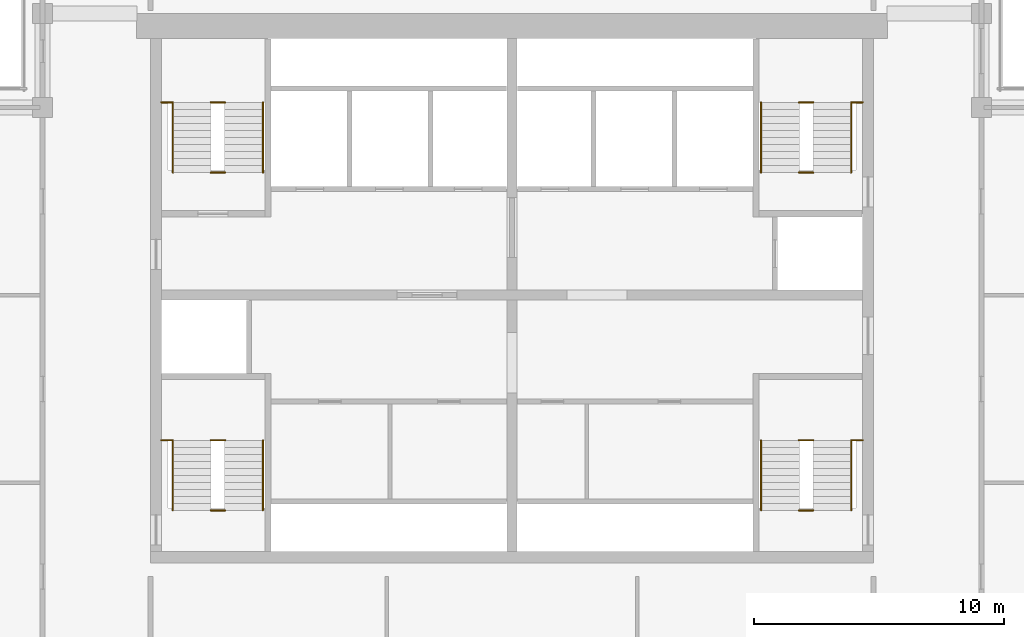
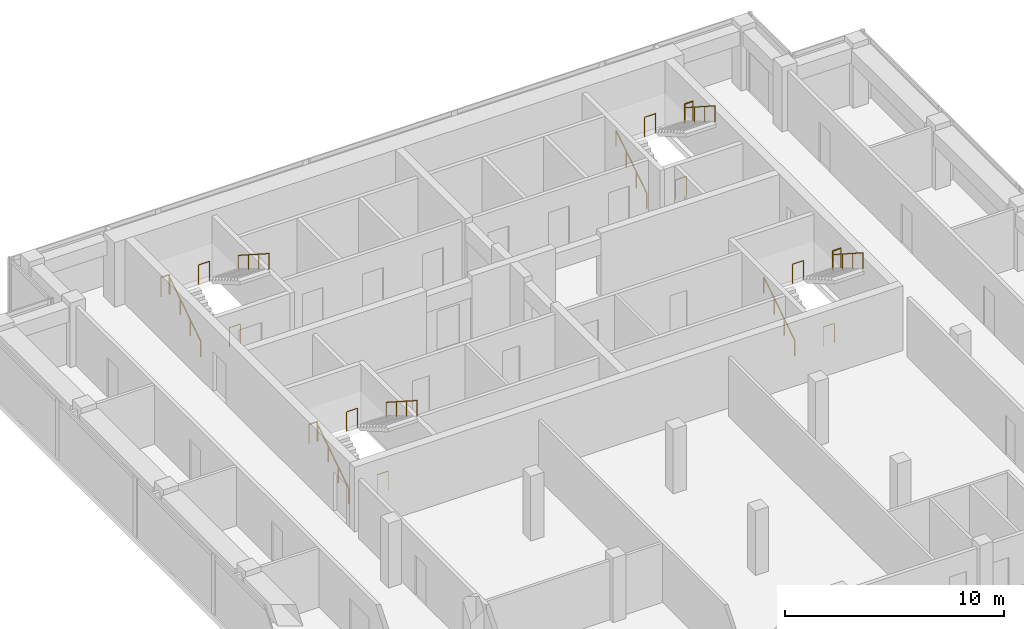
# One storey, part 9 of 9: 20 railings.
"""IFC4 building model written with IfcOpenShell, lengths in metres."""

from ifc_helpers import new_model, si_unit, direction, frame, origin, origin_2d, place, context, subcontext, project, spatial, circle, extrude, material, type_object, element, save


model = new_model("IFC4")

# Units and contexts
model_context = context("Model", 3, precision=1e-05, world=origin(), true_north=direction((0.0, 1.0)))
body_context = subcontext(model_context, "Body", "Model", "MODEL_VIEW")
ifc_project = project(units=[si_unit("LENGTHUNIT", "METRE"), si_unit("AREAUNIT", "SQUARE_METRE"), si_unit("VOLUMEUNIT", "CUBIC_METRE"), si_unit("PLANEANGLEUNIT", "RADIAN"), si_unit("MASSUNIT", "GRAM", prefix="KILO")], contexts=[model_context])

# Site, building, storey
site_placement = place(None, origin())
site = spatial("IfcSite", under=ifc_project, at=site_placement, CompositionType="ELEMENT")
building_placement = place(site_placement, origin())
building = spatial("IfcBuilding", under=site, at=building_placement, Name="Pilkhan Gate Tower", CompositionType="ELEMENT")
storey_placement = place(building_placement, frame((0.0, 0.0, 262.10009765625)))
storey = spatial("IfcBuildingStorey", under=building, at=storey_placement, Name="L68", CompositionType="ELEMENT", Elevation=262.10009765625)

# Railings
ifc_material_1 = material(Name="Black powder-coated steel tube", Category="steel")
railing_type_1 = type_object("IfcRailingType", Name="Stair handrail HR1", PredefinedType="HANDRAIL", material=ifc_material_1)
railing_1_placement = place(storey_placement, frame((84.949951171875, 73.89990234375, 0.0)))
element("IfcRailing", 1, at=railing_1_placement, inside=storey, type_object=railing_type_1, Name="Stair ST1 handrail L68", PredefinedType="HANDRAIL", context=body_context, shape_type="SweptSolid", body=[
    extrude(circle(Radius=0.02392578125, at=origin_2d()), frame((0.0, 0.0, 0.8759765625), z_axis=(0.0, 0.841209454229, 0.540709398952), x_axis=(-1.0, 0.0, 0.0)), (0.0, 0.0, 1.0), 3.32861328125),
    extrude(circle(Radius=0.02099609375, at=origin_2d()), origin(), (0.0, 0.0, 1.0), 0.851806640625),
    extrude(circle(Radius=0.02099609375, at=origin_2d()), frame((0.0, 0.933349609375, 0.599853515625)), (0.0, 0.0, 1.0), 0.851806640625),
    extrude(circle(Radius=0.02099609375, at=origin_2d()), frame((0.0, 1.86669921875, 1.199951171875)), (0.0, 0.0, 1.0), 0.851806640625),
    extrude(circle(Radius=0.02099609375, at=origin_2d()), frame((0.0, 2.800048828125, 1.7998046875)), (0.0, 0.0, 1.0), 0.851806640625),
])
railing_2_placement = place(storey_placement, frame((88.550048828125, 76.699951171875, 1.7998046875)))
element("IfcRailing", 2, at=railing_2_placement, inside=storey, type_object=railing_type_1, Name="Stair ST1 handrail L68", PredefinedType="HANDRAIL", context=body_context, shape_type="SweptSolid", body=[
    extrude(circle(Radius=0.02392578125, at=origin_2d()), frame((0.0, 0.0, 0.8759765625), z_axis=(0.0, -0.841176092368, 0.540761298198), x_axis=(1.0, 0.0, 0.0)), (0.0, 0.0, 1.0), 3.32861328125),
    extrude(circle(Radius=0.02099609375, at=origin_2d()), origin(), (0.0, 0.0, 1.0), 0.851806640625),
    extrude(circle(Radius=0.02099609375, at=origin_2d()), frame((0.0, -0.933349609375, 0.60009765625)), (0.0, 0.0, 1.0), 0.851806640625),
    extrude(circle(Radius=0.02099609375, at=origin_2d()), frame((0.0, -1.86669921875, 1.199951171875)), (0.0, 0.0, 1.0), 0.851806640625),
    extrude(circle(Radius=0.02099609375, at=origin_2d()), frame((0.0, -2.800048828125, 1.800048828125)), (0.0, 0.0, 1.0), 0.851806640625),
])
railing_3_placement = place(storey_placement, frame((61.449951171875, 73.89990234375, 0.0)))
element("IfcRailing", 3, at=railing_3_placement, inside=storey, type_object=railing_type_1, Name="Stair ST2 handrail L68", PredefinedType="HANDRAIL", context=body_context, shape_type="SweptSolid", body=[
    extrude(circle(Radius=0.02392578125, at=origin_2d()), frame((0.0, 0.0, 0.8759765625), z_axis=(0.0, 0.841209454229, 0.540709398952), x_axis=(-1.0, 0.0, 0.0)), (0.0, 0.0, 1.0), 3.32861328125),
    extrude(circle(Radius=0.02099609375, at=origin_2d()), origin(), (0.0, 0.0, 1.0), 0.851806640625),
    extrude(circle(Radius=0.02099609375, at=origin_2d()), frame((0.0, 0.933349609375, 0.599853515625)), (0.0, 0.0, 1.0), 0.851806640625),
    extrude(circle(Radius=0.02099609375, at=origin_2d()), frame((0.0, 1.86669921875, 1.199951171875)), (0.0, 0.0, 1.0), 0.851806640625),
    extrude(circle(Radius=0.02099609375, at=origin_2d()), frame((0.0, 2.800048828125, 1.7998046875)), (0.0, 0.0, 1.0), 0.851806640625),
])
railing_4_placement = place(storey_placement, frame((65.050048828125, 76.699951171875, 1.7998046875)))
element("IfcRailing", 4, at=railing_4_placement, inside=storey, type_object=railing_type_1, Name="Stair ST2 handrail L68", PredefinedType="HANDRAIL", context=body_context, shape_type="SweptSolid", body=[
    extrude(circle(Radius=0.02392578125, at=origin_2d()), frame((0.0, 0.0, 0.8759765625), z_axis=(0.0, -0.841176092368, 0.540761298198), x_axis=(1.0, 0.0, 0.0)), (0.0, 0.0, 1.0), 3.32861328125),
    extrude(circle(Radius=0.02099609375, at=origin_2d()), origin(), (0.0, 0.0, 1.0), 0.851806640625),
    extrude(circle(Radius=0.02099609375, at=origin_2d()), frame((0.0, -0.933349609375, 0.60009765625)), (0.0, 0.0, 1.0), 0.851806640625),
    extrude(circle(Radius=0.02099609375, at=origin_2d()), frame((0.0, -1.86669921875, 1.199951171875)), (0.0, 0.0, 1.0), 0.851806640625),
    extrude(circle(Radius=0.02099609375, at=origin_2d()), frame((0.0, -2.800048828125, 1.800048828125)), (0.0, 0.0, 1.0), 0.851806640625),
])
railing_5_placement = place(storey_placement, frame((61.449951171875, 87.39990234375, 0.0)))
element("IfcRailing", 5, at=railing_5_placement, inside=storey, type_object=railing_type_1, Name="Stair ST3 handrail L68", PredefinedType="HANDRAIL", context=body_context, shape_type="SweptSolid", body=[
    extrude(circle(Radius=0.02392578125, at=origin_2d()), frame((0.0, 0.0, 0.8759765625), z_axis=(0.0, 0.841209454229, 0.540709398952), x_axis=(-1.0, 0.0, 0.0)), (0.0, 0.0, 1.0), 3.32861328125),
    extrude(circle(Radius=0.02099609375, at=origin_2d()), origin(), (0.0, 0.0, 1.0), 0.851806640625),
    extrude(circle(Radius=0.02099609375, at=origin_2d()), frame((0.0, 0.933349609375, 0.599853515625)), (0.0, 0.0, 1.0), 0.851806640625),
    extrude(circle(Radius=0.02099609375, at=origin_2d()), frame((0.0, 1.86669921875, 1.199951171875)), (0.0, 0.0, 1.0), 0.851806640625),
    extrude(circle(Radius=0.02099609375, at=origin_2d()), frame((0.0, 2.800048828125, 1.7998046875)), (0.0, 0.0, 1.0), 0.851806640625),
])
railing_6_placement = place(storey_placement, frame((65.050048828125, 90.199951171875, 1.7998046875)))
element("IfcRailing", 6, at=railing_6_placement, inside=storey, type_object=railing_type_1, Name="Stair ST3 handrail L68", PredefinedType="HANDRAIL", context=body_context, shape_type="SweptSolid", body=[
    extrude(circle(Radius=0.02392578125, at=origin_2d()), frame((0.0, 0.0, 0.8759765625), z_axis=(0.0, -0.841176092368, 0.540761298198), x_axis=(1.0, 0.0, 0.0)), (0.0, 0.0, 1.0), 3.32861328125),
    extrude(circle(Radius=0.02099609375, at=origin_2d()), origin(), (0.0, 0.0, 1.0), 0.851806640625),
    extrude(circle(Radius=0.02099609375, at=origin_2d()), frame((0.0, -0.933349609375, 0.60009765625)), (0.0, 0.0, 1.0), 0.851806640625),
    extrude(circle(Radius=0.02099609375, at=origin_2d()), frame((0.0, -1.86669921875, 1.199951171875)), (0.0, 0.0, 1.0), 0.851806640625),
    extrude(circle(Radius=0.02099609375, at=origin_2d()), frame((0.0, -2.800048828125, 1.800048828125)), (0.0, 0.0, 1.0), 0.851806640625),
])
railing_7_placement = place(storey_placement, frame((84.949951171875, 87.39990234375, 0.0)))
element("IfcRailing", 7, at=railing_7_placement, inside=storey, type_object=railing_type_1, Name="Stair ST4 handrail L68", PredefinedType="HANDRAIL", context=body_context, shape_type="SweptSolid", body=[
    extrude(circle(Radius=0.02392578125, at=origin_2d()), frame((0.0, 0.0, 0.8759765625), z_axis=(0.0, 0.841209454229, 0.540709398952), x_axis=(-1.0, 0.0, 0.0)), (0.0, 0.0, 1.0), 3.32861328125),
    extrude(circle(Radius=0.02099609375, at=origin_2d()), origin(), (0.0, 0.0, 1.0), 0.851806640625),
    extrude(circle(Radius=0.02099609375, at=origin_2d()), frame((0.0, 0.933349609375, 0.599853515625)), (0.0, 0.0, 1.0), 0.851806640625),
    extrude(circle(Radius=0.02099609375, at=origin_2d()), frame((0.0, 1.86669921875, 1.199951171875)), (0.0, 0.0, 1.0), 0.851806640625),
    extrude(circle(Radius=0.02099609375, at=origin_2d()), frame((0.0, 2.800048828125, 1.7998046875)), (0.0, 0.0, 1.0), 0.851806640625),
])
railing_8_placement = place(storey_placement, frame((88.550048828125, 90.199951171875, 1.7998046875)))
element("IfcRailing", 8, at=railing_8_placement, inside=storey, type_object=railing_type_1, Name="Stair ST4 handrail L68", PredefinedType="HANDRAIL", context=body_context, shape_type="SweptSolid", body=[
    extrude(circle(Radius=0.02392578125, at=origin_2d()), frame((0.0, 0.0, 0.8759765625), z_axis=(0.0, -0.841176092368, 0.540761298198), x_axis=(1.0, 0.0, 0.0)), (0.0, 0.0, 1.0), 3.32861328125),
    extrude(circle(Radius=0.02099609375, at=origin_2d()), origin(), (0.0, 0.0, 1.0), 0.851806640625),
    extrude(circle(Radius=0.02099609375, at=origin_2d()), frame((0.0, -0.933349609375, 0.60009765625)), (0.0, 0.0, 1.0), 0.851806640625),
    extrude(circle(Radius=0.02099609375, at=origin_2d()), frame((0.0, -1.86669921875, 1.199951171875)), (0.0, 0.0, 1.0), 0.851806640625),
    extrude(circle(Radius=0.02099609375, at=origin_2d()), frame((0.0, -2.800048828125, 1.800048828125)), (0.0, 0.0, 1.0), 0.851806640625),
])
ifc_material_2 = material(Name="Black powder-coated steel balusters", Category="steel")
railing_type_2 = type_object("IfcRailingType", Name="Stair well guard G3", PredefinedType="GUARDRAIL", material=ifc_material_2)
railing_9_placement = place(storey_placement, frame((88.580078125, 76.699951171875, 1.7998046875)))
element("IfcRailing", 9, at=railing_9_placement, inside=storey, type_object=railing_type_2, Name="Stair ST1 well guard L68", PredefinedType="GUARDRAIL", context=body_context, shape_type="SweptSolid", body=[
    extrude(circle(Radius=0.02392578125, at=origin_2d()), frame((0.0, 0.0, 1.076171875), z_axis=(1.0, 0.0, 0.0), x_axis=(0.0, 1.0, 0.0)), (0.0, 0.0, 1.0), 0.43994140625),
    extrude(circle(Radius=0.02099609375, at=origin_2d()), origin(), (0.0, 0.0, 1.0), 1.052001953125),
    extrude(circle(Radius=0.02099609375, at=origin_2d()), frame((0.43994140625, 0.0, 0.0)), (0.0, 0.0, 1.0), 1.052001953125),
])
for number, where, name in (
    (10, (86.4599609375, 73.89990234375, 0.0), "Stair ST1 well guard L68"),
    (11, (86.4599609375, 76.699951171875, 1.7998046875), "Stair ST1 well guard L68"),
):
    element("IfcRailing", number, at=place(storey_placement, frame(where)), inside=storey, type_object=railing_type_2, Name=name, PredefinedType="GUARDRAIL", context=body_context, shape_type="SweptSolid", body=[
        extrude(circle(Radius=0.02392578125, at=origin_2d()), frame((0.0, 0.0, 1.076171875), z_axis=(1.0, 0.0, 0.0), x_axis=(0.0, 1.0, 0.0)), (0.0, 0.0, 1.0), 0.580078125),
        extrude(circle(Radius=0.02099609375, at=origin_2d()), origin(), (0.0, 0.0, 1.0), 1.052001953125),
        extrude(circle(Radius=0.02099609375, at=origin_2d()), frame((0.580078125, 0.0, 0.0)), (0.0, 0.0, 1.0), 1.052001953125),
    ])
railing_10_placement = place(storey_placement, frame((60.97998046875, 76.699951171875, 1.7998046875)))
element("IfcRailing", 12, at=railing_10_placement, inside=storey, type_object=railing_type_2, Name="Stair ST2 well guard L68", PredefinedType="GUARDRAIL", context=body_context, shape_type="SweptSolid", body=[
    extrude(circle(Radius=0.02392578125, at=origin_2d()), frame((0.0, 0.0, 1.076171875), z_axis=(1.0, 0.0, 0.0), x_axis=(0.0, 1.0, 0.0)), (0.0, 0.0, 1.0), 0.43994140625),
    extrude(circle(Radius=0.02099609375, at=origin_2d()), origin(), (0.0, 0.0, 1.0), 1.052001953125),
    extrude(circle(Radius=0.02099609375, at=origin_2d()), frame((0.43994140625, 0.0, 0.0)), (0.0, 0.0, 1.0), 1.052001953125),
])
for number, where, name in (
    (13, (62.9599609375, 73.89990234375, 0.0), "Stair ST2 well guard L68"),
    (14, (62.9599609375, 76.699951171875, 1.7998046875), "Stair ST2 well guard L68"),
):
    element("IfcRailing", number, at=place(storey_placement, frame(where)), inside=storey, type_object=railing_type_2, Name=name, PredefinedType="GUARDRAIL", context=body_context, shape_type="SweptSolid", body=[
        extrude(circle(Radius=0.02392578125, at=origin_2d()), frame((0.0, 0.0, 1.076171875), z_axis=(1.0, 0.0, 0.0), x_axis=(0.0, 1.0, 0.0)), (0.0, 0.0, 1.0), 0.580078125),
        extrude(circle(Radius=0.02099609375, at=origin_2d()), origin(), (0.0, 0.0, 1.0), 1.052001953125),
        extrude(circle(Radius=0.02099609375, at=origin_2d()), frame((0.580078125, 0.0, 0.0)), (0.0, 0.0, 1.0), 1.052001953125),
    ])
railing_11_placement = place(storey_placement, frame((60.97998046875, 90.199951171875, 1.7998046875)))
element("IfcRailing", 15, at=railing_11_placement, inside=storey, type_object=railing_type_2, Name="Stair ST3 well guard L68", PredefinedType="GUARDRAIL", context=body_context, shape_type="SweptSolid", body=[
    extrude(circle(Radius=0.02392578125, at=origin_2d()), frame((0.0, 0.0, 1.076171875), z_axis=(1.0, 0.0, 0.0), x_axis=(0.0, 1.0, 0.0)), (0.0, 0.0, 1.0), 0.43994140625),
    extrude(circle(Radius=0.02099609375, at=origin_2d()), origin(), (0.0, 0.0, 1.0), 1.052001953125),
    extrude(circle(Radius=0.02099609375, at=origin_2d()), frame((0.43994140625, 0.0, 0.0)), (0.0, 0.0, 1.0), 1.052001953125),
])
for number, where, name in (
    (16, (62.9599609375, 87.39990234375, 0.0), "Stair ST3 well guard L68"),
    (17, (62.9599609375, 90.199951171875, 1.7998046875), "Stair ST3 well guard L68"),
):
    element("IfcRailing", number, at=place(storey_placement, frame(where)), inside=storey, type_object=railing_type_2, Name=name, PredefinedType="GUARDRAIL", context=body_context, shape_type="SweptSolid", body=[
        extrude(circle(Radius=0.02392578125, at=origin_2d()), frame((0.0, 0.0, 1.076171875), z_axis=(1.0, 0.0, 0.0), x_axis=(0.0, 1.0, 0.0)), (0.0, 0.0, 1.0), 0.580078125),
        extrude(circle(Radius=0.02099609375, at=origin_2d()), origin(), (0.0, 0.0, 1.0), 1.052001953125),
        extrude(circle(Radius=0.02099609375, at=origin_2d()), frame((0.580078125, 0.0, 0.0)), (0.0, 0.0, 1.0), 1.052001953125),
    ])
railing_12_placement = place(storey_placement, frame((88.580078125, 90.199951171875, 1.7998046875)))
element("IfcRailing", 18, at=railing_12_placement, inside=storey, type_object=railing_type_2, Name="Stair ST4 well guard L68", PredefinedType="GUARDRAIL", context=body_context, shape_type="SweptSolid", body=[
    extrude(circle(Radius=0.02392578125, at=origin_2d()), frame((0.0, 0.0, 1.076171875), z_axis=(1.0, 0.0, 0.0), x_axis=(0.0, 1.0, 0.0)), (0.0, 0.0, 1.0), 0.43994140625),
    extrude(circle(Radius=0.02099609375, at=origin_2d()), origin(), (0.0, 0.0, 1.0), 1.052001953125),
    extrude(circle(Radius=0.02099609375, at=origin_2d()), frame((0.43994140625, 0.0, 0.0)), (0.0, 0.0, 1.0), 1.052001953125),
])
for number, where, name in (
    (19, (86.4599609375, 87.39990234375, 0.0), "Stair ST4 well guard L68"),
    (20, (86.4599609375, 90.199951171875, 1.7998046875), "Stair ST4 well guard L68"),
):
    element("IfcRailing", number, at=place(storey_placement, frame(where)), inside=storey, type_object=railing_type_2, Name=name, PredefinedType="GUARDRAIL", context=body_context, shape_type="SweptSolid", body=[
        extrude(circle(Radius=0.02392578125, at=origin_2d()), frame((0.0, 0.0, 1.076171875), z_axis=(1.0, 0.0, 0.0), x_axis=(0.0, 1.0, 0.0)), (0.0, 0.0, 1.0), 0.580078125),
        extrude(circle(Radius=0.02099609375, at=origin_2d()), origin(), (0.0, 0.0, 1.0), 1.052001953125),
        extrude(circle(Radius=0.02099609375, at=origin_2d()), frame((0.580078125, 0.0, 0.0)), (0.0, 0.0, 1.0), 1.052001953125),
    ])

save(model, "model.ifc")
